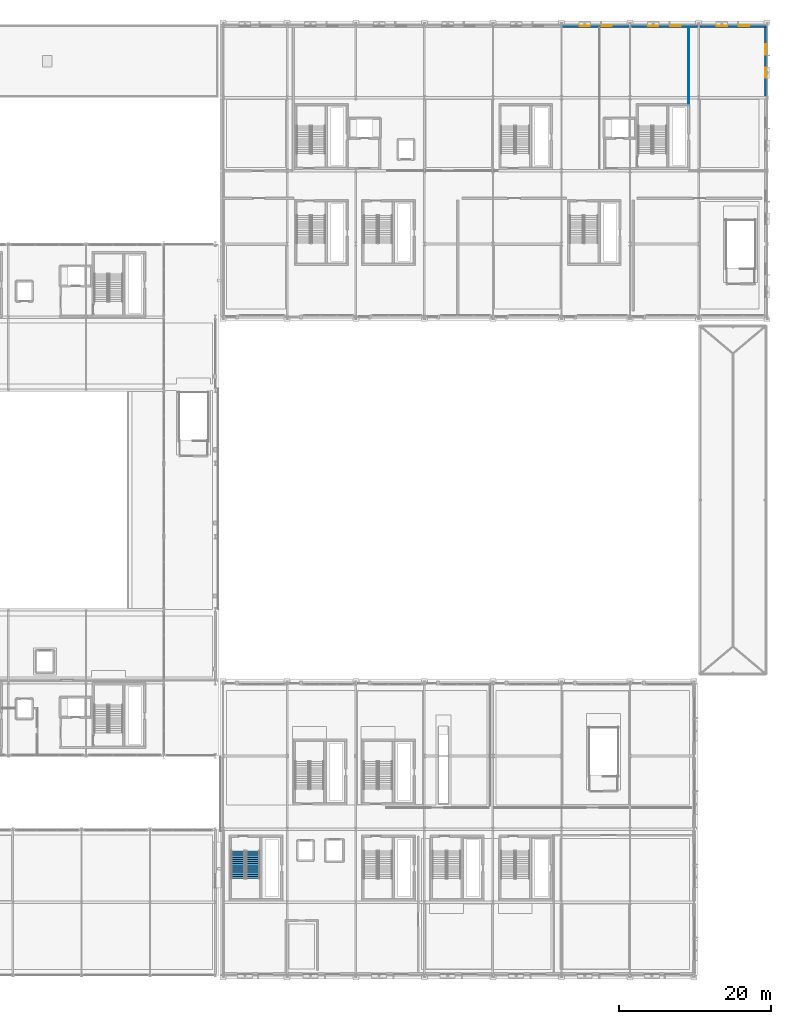
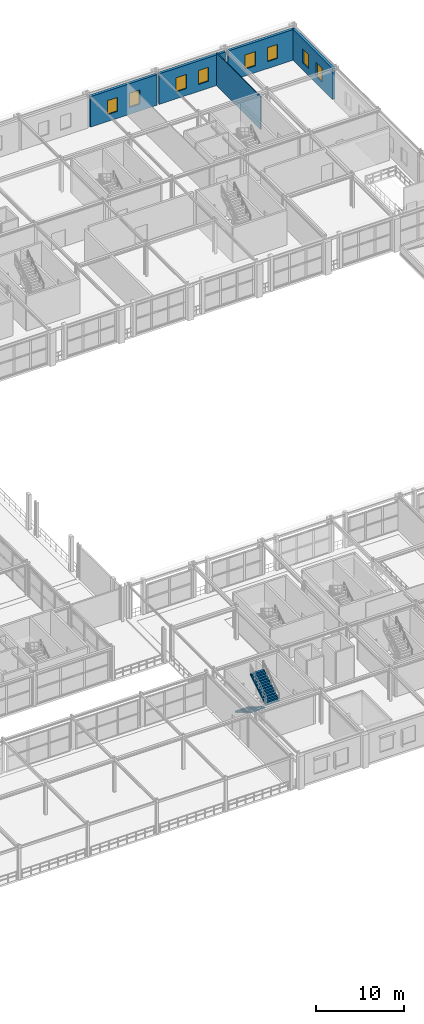
# One storey, part 83 of 125: 8 windows, 5 walls, 2 stair flights, 8 openings, 1 element without a shape of its own.
"""IFC4 building model written with IfcOpenShell, lengths in metres."""

from ifc_helpers import new_model, si_unit, direction, frame, frame_2d, origin, place, context, subcontext, project, spatial, polyline, rectangle, outline, extrude, material, layer, layer_set, type_object, element, fill, aggregate, save


model = new_model("IFC4")

# Units and contexts
model_context = context("Model", 3, precision=1e-05, world=origin(), true_north=direction((0.0, 1.0)))
body_context = subcontext(model_context, "Body", "Model", "MODEL_VIEW")
ifc_project = project(units=[si_unit("LENGTHUNIT", "METRE"), si_unit("AREAUNIT", "SQUARE_METRE"), si_unit("VOLUMEUNIT", "CUBIC_METRE"), si_unit("PLANEANGLEUNIT", "RADIAN"), si_unit("MASSUNIT", "GRAM", prefix="KILO")], contexts=[model_context])

# Site, building, storey
site_placement = place(None, origin())
site = spatial("IfcSite", under=ifc_project, at=site_placement, CompositionType="ELEMENT")
building_placement = place(site_placement, origin())
building = spatial("IfcBuilding", under=site, at=building_placement, Name="Myrtia Square Station", CompositionType="ELEMENT")
storey_placement = place(building_placement, frame((0.0, 0.0, 6.0)))
storey = spatial("IfcBuildingStorey", under=building, at=storey_placement, Name="L01", CompositionType="ELEMENT", Elevation=6.0)

# Wall, openings, windows
ifc_material_1 = material(Name="Cream lime stucco on clay brick masonry", Category="masonry")
ifc_layer_1 = layer(ifc_material_1, 0.360107421875, Name="Cream lime stucco on clay brick masonry")
ifc_layer_set_1 = layer_set([ifc_layer_1], Name="Cream lime stucco on clay brick masonry")
wall_type_1 = type_object("IfcWallType", Name="WL-EXT-STUCCO-360", PredefinedType="SOLIDWALL", material=ifc_layer_set_1)
wall_1_placement = place(storey_placement, frame((162.155029296875, 124.60009765625, 0.0), z_axis=(0.0, 0.0, 1.0), x_axis=(1.0, 0.0, 0.0)))
wall_1 = element("IfcWall", 1, at=wall_1_placement, inside=storey, type_object=wall_type_1, Name="Exterior envelope wall EW-L01-0113", PredefinedType="SOLIDWALL", context=body_context, shape_type="SweptSolid", body=[
    extrude(rectangle(XDim=8.68994140625, YDim=0.360107421875, at=frame_2d((4.344970703125, 0.0))), origin(), (0.0, 0.0, 1.0), 4.22998046875),
])
opening_1_placement = place(wall_1_placement, frame((2.221923828125, 0.0, 0.949951171875)))
opening_1 = element("IfcOpeningElement", 2, at=opening_1_placement, cuts=wall_1, Name="Opening WN-119", PredefinedType="OPENING", context=body_context, shape_type="SweptSolid", body=[
    extrude(rectangle(XDim=1.35009765625, YDim=1.949951171875, at=frame_2d((0.675048828125, 0.97509765625))), frame((0.0, 0.195068359375, 0.0), z_axis=(0.0, -1.0, 0.0), x_axis=(1.0, 0.0, 0.0)), (0.0, 0.0, 1.0), 0.39013671875),
])
opening_2_placement = place(wall_1_placement, frame((5.117919921875, 0.0, 0.949951171875)))
opening_2 = element("IfcOpeningElement", 3, at=opening_2_placement, cuts=wall_1, Name="Opening WN-120", PredefinedType="OPENING", context=body_context, shape_type="SweptSolid", body=[
    extrude(rectangle(XDim=1.35009765625, YDim=1.949951171875, at=frame_2d((0.675048828125, 0.97509765625))), frame((0.0, 0.195068359375, 0.0), z_axis=(0.0, -1.0, 0.0), x_axis=(1.0, 0.0, 0.0)), (0.0, 0.0, 1.0), 0.39013671875),
])
ifc_material_2 = material(Name="Tinted low-E solar control glass", Category="glass")
window_type = type_object("IfcWindowType", Name="WN-OPS-1350x1950", PartitioningType="SINGLE_PANEL", PredefinedType="WINDOW", material=ifc_material_2)
window_1_placement = place(opening_1_placement, origin())
window_1 = element("IfcWindow", 4, at=window_1_placement, inside=storey, type_object=window_type, Name="Window WN-119", OverallHeight=1.949951171875, OverallWidth=1.35009765625, PartitioningType="SINGLE_PANEL", PredefinedType="WINDOW", context=body_context, shape_type="SweptSolid", body=[
    extrude(rectangle(XDim=1.35009765625, YDim=1.949951171875, at=frame_2d((0.675048828125, 0.97509765625))), frame((0.0, 0.030029296875, 0.0), z_axis=(0.0, -1.0, 0.0), x_axis=(1.0, 0.0, 0.0)), (0.0, 0.0, 1.0), 0.06005859375),
])
fill(opening_1, window_1)
window_2_placement = place(opening_2_placement, origin())
window_2 = element("IfcWindow", 5, at=window_2_placement, inside=storey, type_object=window_type, Name="Window WN-120", OverallHeight=1.949951171875, OverallWidth=1.35009765625, PartitioningType="SINGLE_PANEL", PredefinedType="WINDOW", context=body_context, shape_type="SweptSolid", body=[
    extrude(rectangle(XDim=1.35009765625, YDim=1.949951171875, at=frame_2d((0.675048828125, 0.97509765625))), frame((0.0, 0.030029296875, 0.0), z_axis=(0.0, -1.0, 0.0), x_axis=(1.0, 0.0, 0.0)), (0.0, 0.0, 1.0), 0.06005859375),
])
fill(opening_2, window_2)

wall_2_placement = place(storey_placement, frame((171.155029296875, 124.60009765625, 0.0), z_axis=(0.0, 0.0, 1.0), x_axis=(1.0, 0.0, 0.0)))
wall_2 = element("IfcWall", 6, at=wall_2_placement, inside=storey, type_object=wall_type_1, Name="Exterior envelope wall EW-L01-0114", PredefinedType="SOLIDWALL", context=body_context, shape_type="SweptSolid", body=[
    extrude(rectangle(XDim=8.68994140625, YDim=0.360107421875, at=frame_2d((4.344970703125, 0.0))), origin(), (0.0, 0.0, 1.0), 4.22998046875),
])
opening_3_placement = place(wall_2_placement, frame((2.221923828125, 0.0, 0.949951171875)))
opening_3 = element("IfcOpeningElement", 7, at=opening_3_placement, cuts=wall_2, Name="Opening WN-121", PredefinedType="OPENING", context=body_context, shape_type="SweptSolid", body=[
    extrude(rectangle(XDim=1.35009765625, YDim=1.949951171875, at=frame_2d((0.675048828125, 0.97509765625))), frame((0.0, 0.195068359375, 0.0), z_axis=(0.0, -1.0, 0.0), x_axis=(1.0, 0.0, 0.0)), (0.0, 0.0, 1.0), 0.39013671875),
])
opening_4_placement = place(wall_2_placement, frame((5.117919921875, 0.0, 0.949951171875)))
opening_4 = element("IfcOpeningElement", 8, at=opening_4_placement, cuts=wall_2, Name="Opening WN-122", PredefinedType="OPENING", context=body_context, shape_type="SweptSolid", body=[
    extrude(rectangle(XDim=1.35009765625, YDim=1.949951171875, at=frame_2d((0.675048828125, 0.97509765625))), frame((0.0, 0.195068359375, 0.0), z_axis=(0.0, -1.0, 0.0), x_axis=(1.0, 0.0, 0.0)), (0.0, 0.0, 1.0), 0.39013671875),
])
window_3_placement = place(opening_3_placement, origin())
window_3 = element("IfcWindow", 9, at=window_3_placement, inside=storey, type_object=window_type, Name="Window WN-121", OverallHeight=1.949951171875, OverallWidth=1.35009765625, PartitioningType="SINGLE_PANEL", PredefinedType="WINDOW", context=body_context, shape_type="SweptSolid", body=[
    extrude(rectangle(XDim=1.35009765625, YDim=1.949951171875, at=frame_2d((0.675048828125, 0.97509765625))), frame((0.0, 0.030029296875, 0.0), z_axis=(0.0, -1.0, 0.0), x_axis=(1.0, 0.0, 0.0)), (0.0, 0.0, 1.0), 0.06005859375),
])
fill(opening_3, window_3)
window_4_placement = place(opening_4_placement, origin())
window_4 = element("IfcWindow", 10, at=window_4_placement, inside=storey, type_object=window_type, Name="Window WN-122", OverallHeight=1.949951171875, OverallWidth=1.35009765625, PartitioningType="SINGLE_PANEL", PredefinedType="WINDOW", context=body_context, shape_type="SweptSolid", body=[
    extrude(rectangle(XDim=1.35009765625, YDim=1.949951171875, at=frame_2d((0.675048828125, 0.97509765625))), frame((0.0, 0.030029296875, 0.0), z_axis=(0.0, -1.0, 0.0), x_axis=(1.0, 0.0, 0.0)), (0.0, 0.0, 1.0), 0.06005859375),
])
fill(opening_4, window_4)

wall_3_placement = place(storey_placement, frame((180.155029296875, 124.60009765625, 0.0), z_axis=(0.0, 0.0, 1.0), x_axis=(1.0, 0.0, 0.0)))
wall_3 = element("IfcWall", 11, at=wall_3_placement, inside=storey, type_object=wall_type_1, Name="Exterior envelope wall EW-L01-0115", PredefinedType="SOLIDWALL", context=body_context, shape_type="SweptSolid", body=[
    extrude(rectangle(XDim=8.68994140625, YDim=0.360107421875, at=frame_2d((4.344970703125, 0.0))), origin(), (0.0, 0.0, 1.0), 4.22998046875),
])
opening_5_placement = place(wall_3_placement, frame((2.221923828125, 0.0, 0.949951171875)))
opening_5 = element("IfcOpeningElement", 12, at=opening_5_placement, cuts=wall_3, Name="Opening WN-123", PredefinedType="OPENING", context=body_context, shape_type="SweptSolid", body=[
    extrude(rectangle(XDim=1.35009765625, YDim=1.949951171875, at=frame_2d((0.675048828125, 0.97509765625))), frame((0.0, 0.195068359375, 0.0), z_axis=(0.0, -1.0, 0.0), x_axis=(1.0, 0.0, 0.0)), (0.0, 0.0, 1.0), 0.39013671875),
])
opening_6_placement = place(wall_3_placement, frame((5.117919921875, 0.0, 0.949951171875)))
opening_6 = element("IfcOpeningElement", 13, at=opening_6_placement, cuts=wall_3, Name="Opening WN-124", PredefinedType="OPENING", context=body_context, shape_type="SweptSolid", body=[
    extrude(rectangle(XDim=1.35009765625, YDim=1.949951171875, at=frame_2d((0.675048828125, 0.97509765625))), frame((0.0, 0.195068359375, 0.0), z_axis=(0.0, -1.0, 0.0), x_axis=(1.0, 0.0, 0.0)), (0.0, 0.0, 1.0), 0.39013671875),
])
window_5_placement = place(opening_5_placement, origin())
window_5 = element("IfcWindow", 14, at=window_5_placement, inside=storey, type_object=window_type, Name="Window WN-123", OverallHeight=1.949951171875, OverallWidth=1.35009765625, PartitioningType="SINGLE_PANEL", PredefinedType="WINDOW", context=body_context, shape_type="SweptSolid", body=[
    extrude(rectangle(XDim=1.35009765625, YDim=1.949951171875, at=frame_2d((0.675048828125, 0.97509765625))), frame((0.0, 0.030029296875, 0.0), z_axis=(0.0, -1.0, 0.0), x_axis=(1.0, 0.0, 0.0)), (0.0, 0.0, 1.0), 0.06005859375),
])
fill(opening_5, window_5)
window_6_placement = place(opening_6_placement, origin())
window_6 = element("IfcWindow", 15, at=window_6_placement, inside=storey, type_object=window_type, Name="Window WN-124", OverallHeight=1.949951171875, OverallWidth=1.35009765625, PartitioningType="SINGLE_PANEL", PredefinedType="WINDOW", context=body_context, shape_type="SweptSolid", body=[
    extrude(rectangle(XDim=1.35009765625, YDim=1.949951171875, at=frame_2d((0.675048828125, 0.97509765625))), frame((0.0, 0.030029296875, 0.0), z_axis=(0.0, -1.0, 0.0), x_axis=(1.0, 0.0, 0.0)), (0.0, 0.0, 1.0), 0.06005859375),
])
fill(opening_6, window_6)

wall_4_placement = place(storey_placement, frame((188.800048828125, 115.455078125, 0.0), z_axis=(0.0, 0.0, 1.0), x_axis=(0.0, 1.0, 0.0)))
wall_4 = element("IfcWall", 16, at=wall_4_placement, inside=storey, type_object=wall_type_1, Name="Exterior envelope wall EW-L01-0119", PredefinedType="SOLIDWALL", context=body_context, shape_type="SweptSolid", body=[
    extrude(rectangle(XDim=9.08984375, YDim=0.360107421875, at=frame_2d((4.544921875, 0.0))), origin(), (0.0, 0.0, 1.0), 4.280029296875),
])
opening_7_placement = place(wall_4_placement, frame((2.35498046875, 0.0, 0.949951171875)))
opening_7 = element("IfcOpeningElement", 17, at=opening_7_placement, cuts=wall_4, Name="Opening WN-131", PredefinedType="OPENING", context=body_context, shape_type="SweptSolid", body=[
    extrude(rectangle(XDim=1.35009765625, YDim=1.949951171875, at=frame_2d((0.675048828125, 0.97509765625))), frame((0.0, 0.195068359375, 0.0), z_axis=(0.0, -1.0, 0.0), x_axis=(1.0, 0.0, 0.0)), (0.0, 0.0, 1.0), 0.39013671875),
])
opening_8_placement = place(wall_4_placement, frame((5.385009765625, 0.0, 0.949951171875)))
opening_8 = element("IfcOpeningElement", 18, at=opening_8_placement, cuts=wall_4, Name="Opening WN-132", PredefinedType="OPENING", context=body_context, shape_type="SweptSolid", body=[
    extrude(rectangle(XDim=1.35009765625, YDim=1.949951171875, at=frame_2d((0.675048828125, 0.97509765625))), frame((0.0, 0.195068359375, 0.0), z_axis=(0.0, -1.0, 0.0), x_axis=(1.0, 0.0, 0.0)), (0.0, 0.0, 1.0), 0.39013671875),
])
window_7_placement = place(opening_7_placement, origin())
window_7 = element("IfcWindow", 19, at=window_7_placement, inside=storey, type_object=window_type, Name="Window WN-131", OverallHeight=1.949951171875, OverallWidth=1.35009765625, PartitioningType="SINGLE_PANEL", PredefinedType="WINDOW", context=body_context, shape_type="SweptSolid", body=[
    extrude(rectangle(XDim=1.35009765625, YDim=1.949951171875, at=frame_2d((0.675048828125, 0.97509765625))), frame((0.0, 0.030029296875, 0.0), z_axis=(0.0, -1.0, 0.0), x_axis=(1.0, 0.0, 0.0)), (0.0, 0.0, 1.0), 0.06005859375),
])
fill(opening_7, window_7)
window_8_placement = place(opening_8_placement, origin())
window_8 = element("IfcWindow", 20, at=window_8_placement, inside=storey, type_object=window_type, Name="Window WN-132", OverallHeight=1.949951171875, OverallWidth=1.35009765625, PartitioningType="SINGLE_PANEL", PredefinedType="WINDOW", context=body_context, shape_type="SweptSolid", body=[
    extrude(rectangle(XDim=1.35009765625, YDim=1.949951171875, at=frame_2d((0.675048828125, 0.97509765625))), frame((0.0, 0.030029296875, 0.0), z_axis=(0.0, -1.0, 0.0), x_axis=(1.0, 0.0, 0.0)), (0.0, 0.0, 1.0), 0.06005859375),
])
fill(opening_8, window_8)

# Wall
ifc_material_3 = material(Name="Gypsum plasterboard")
ifc_layer_2 = layer(ifc_material_3, 0.125, Name="Gypsum plasterboard")
ifc_layer_set_2 = layer_set([ifc_layer_2], Name="Gypsum plasterboard")
wall_type_2 = type_object("IfcWallType", Name="WL-PART-125", PredefinedType="PARTITIONING", material=ifc_layer_set_2)
wall_5_placement = place(storey_placement, frame((178.675048828125, 114.409912109375, 0.0), z_axis=(0.0, 0.0, 1.0), x_axis=(0.0, 1.0, 0.0)))
element("IfcWall", 21, at=wall_5_placement, inside=storey, type_object=wall_type_2, Name="Sanitary enclosure partition L01-20", PredefinedType="PARTITIONING", context=body_context, shape_type="SweptSolid", body=[
    extrude(rectangle(XDim=10.0, YDim=0.125, at=frame_2d((5.0, 0.0))), origin(), (0.0, 0.0, 1.0), 4.530029296875),
])

# Stair, stair flights
ifc_material_4 = material(Name="Concrete C35/45", Category="concrete")
stair_type = type_object("IfcStairType", Name="STR-03-28R-1800W", PredefinedType="HALF_TURN_STAIR", material=ifc_material_4)
stair_placement = place(storey_placement, origin())
stair = element("IfcStair", 22, at=stair_placement, inside=storey, type_object=stair_type, Name="L01 Core escape stair ST05", PredefinedType="HALF_TURN_STAIR")
stair_flight_type = type_object("IfcStairFlightType", Name="STF-03-14R-1800W", PredefinedType="STRAIGHT", material=ifc_material_4)
stair_flight_1_placement = place(storey_placement, frame((119.550048828125, 16.35009765625, 0.0), z_axis=(0.0, 0.0, 1.0), x_axis=(0.0, -1.0, 0.0)))
stair_flight_1 = element("IfcStairFlight", 23, at=stair_flight_1_placement, type_object=stair_flight_type, Name="ST05 flight 1", NumberOfRisers=14, NumberOfTreads=13, PredefinedType="STRAIGHT", RiserHeight=0.171428571, TreadLength=0.28, context=body_context, shape_type="SweptSolid", body=[
    extrude(outline(polyline([(0.0, 0.0), (0.0, 0.17138671875), (0.280029296875, 0.17138671875), (0.280029296875, 0.3427734375), (0.56005859375, 0.3427734375), (0.56005859375, 0.514404296875), (0.840087890625, 0.514404296875), (0.840087890625, 0.685791015625), (1.1201171875, 0.685791015625), (1.1201171875, 0.857177734375), (1.39990234375, 0.857177734375), (1.39990234375, 1.028564453125), (1.679931640625, 1.028564453125), (1.679931640625, 1.199951171875), (1.9599609375, 1.199951171875), (1.9599609375, 1.371337890625), (2.239990234375, 1.371337890625), (2.239990234375, 1.54296875), (2.52001953125, 1.54296875), (2.52001953125, 1.71435546875), (2.800048828125, 1.71435546875), (2.800048828125, 1.8857421875), (3.080078125, 1.8857421875), (3.080078125, 2.05712890625), (3.360107421875, 2.05712890625), (3.360107421875, 2.228515625), (3.639892578125, 2.228515625), (3.639892578125, 2.39990234375), (3.639892578125, 2.052734375), (0.287109375, 0.0), (0.0, 0.0)])), frame((0.0, 0.89990234375, 0.0), z_axis=(0.0, -1.0, 0.0), x_axis=(1.0, 0.0, 0.0)), (0.0, 0.0, 1.0), 1.800048828125),
])
stair_flight_2_placement = place(storey_placement, frame((121.510009765625, 12.7099609375, 2.39990234375), z_axis=(0.0, 0.0, 1.0), x_axis=(0.0, 1.0, 0.0)))
stair_flight_2 = element("IfcStairFlight", 24, at=stair_flight_2_placement, type_object=stair_flight_type, Name="ST05 flight 2", NumberOfRisers=14, NumberOfTreads=13, PredefinedType="STRAIGHT", RiserHeight=0.171428571, TreadLength=0.28, context=body_context, shape_type="SweptSolid", body=[
    extrude(outline(polyline([(0.0, 0.0), (0.0, 0.17138671875), (0.280029296875, 0.17138671875), (0.280029296875, 0.3427734375), (0.56005859375, 0.3427734375), (0.56005859375, 0.514404296875), (0.840087890625, 0.514404296875), (0.840087890625, 0.685791015625), (1.1201171875, 0.685791015625), (1.1201171875, 0.857177734375), (1.39990234375, 0.857177734375), (1.39990234375, 1.028564453125), (1.679931640625, 1.028564453125), (1.679931640625, 1.199951171875), (1.9599609375, 1.199951171875), (1.9599609375, 1.371337890625), (2.239990234375, 1.371337890625), (2.239990234375, 1.54296875), (2.52001953125, 1.54296875), (2.52001953125, 1.71435546875), (2.800048828125, 1.71435546875), (2.800048828125, 1.8857421875), (3.080078125, 1.8857421875), (3.080078125, 2.05712890625), (3.360107421875, 2.05712890625), (3.360107421875, 2.228515625), (3.639892578125, 2.228515625), (3.639892578125, 2.39990234375), (3.639892578125, 2.052734375), (0.287109375, 0.0), (0.0, 0.0)])), frame((0.0, 0.89990234375, 0.0), z_axis=(0.0, -1.0, 0.0), x_axis=(1.0, 0.0, 0.0)), (0.0, 0.0, 1.0), 1.800048828125),
])
aggregate(stair, [stair_flight_1, stair_flight_2])

save(model, "model.ifc")
